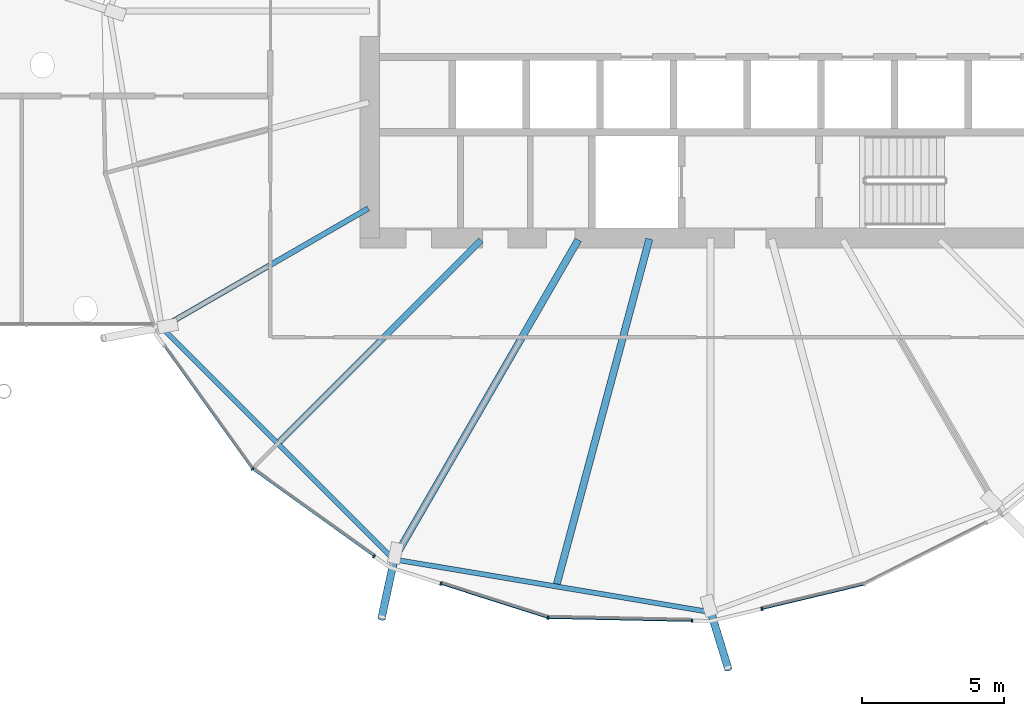
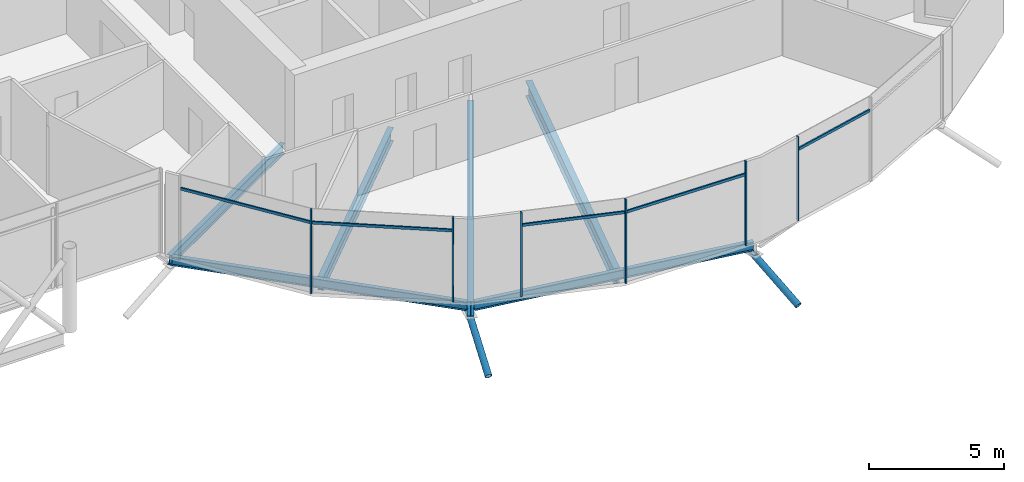
# One storey, part 13 of 40: 13 members, 6 beams, 1 element without a shape of its own.
"""IFC4 building model written with IfcOpenShell, lengths in metres."""

import ifcopenshell
import ifcopenshell.guid

model = None  # the IFC model being written
_history = None  # IfcOwnerHistory: only IFC2X3 demands one
_inside = {}  # id of a spatial element -> (the spatial element, [elements in it])
_under = {}  # id of a project, library or spatial element -> (it, [spatial elements below it])
_declared = {}  # id of a project -> (the project, [libraries it declares])
_typed = {}  # id of a type object -> (the type object, [elements of that type])
_made_of = {}  # id of a material, layer set ... -> (it, [elements and type objects made of it])


def new_model(schema):
    """Start an empty IFC model of exactly this schema.

    Asked for "IFC4X3", IfcOpenShell would pick the latest addendum, in which some entities
    have other attributes; the version numbers below select the first issue.
    IFC2X3 requires an IfcOwnerHistory on every rooted entity: one is made here for all.
    """
    global model, _history
    if schema == "IFC4X3":
        model = ifcopenshell.file(schema_version=(4, 3, 0, 0))
    else:
        model = ifcopenshell.file(schema=schema)
    _inside.clear()
    _under.clear()
    _declared.clear()
    _typed.clear()
    _made_of.clear()
    _history = None
    if model.schema == "IFC2X3":
        org = make("IfcOrganization", Name="unknown")
        user = make(
            "IfcPersonAndOrganization",
            ThePerson=make("IfcPerson", FamilyName="unknown"),
            TheOrganization=org,
        )
        app = make(
            "IfcApplication",
            ApplicationDeveloper=org,
            Version="unknown",
            ApplicationFullName="unknown",
            ApplicationIdentifier="unknown",
        )
        _history = make(
            "IfcOwnerHistory",
            OwningUser=user,
            OwningApplication=app,
            ChangeAction="ADDED",
            CreationDate=0,
        )
    return model


def make(cls, **values):
    """One entity of the class cls with the attributes given. An attribute that is None is left unset."""
    return model.create_entity(
        cls, **{name: value for name, value in values.items() if value is not None}
    )


def rooted(cls, **values):
    """An entity with a GlobalId (a new one), such as an element, a storey or a relation."""
    return make(cls, GlobalId=ifcopenshell.guid.new(), OwnerHistory=_history, **values)


def si_unit(unit_type, name, prefix=None):
    """IfcSIUnit, for example si_unit("LENGTHUNIT", "METRE", prefix="MILLI")."""
    return make("IfcSIUnit", UnitType=unit_type, Prefix=prefix, Name=name)


def assignment(units):
    """IfcUnitAssignment: the units of a project."""
    return None if units is None else make("IfcUnitAssignment", Units=units)


def point(xyz):
    """IfcCartesianPoint."""
    return None if xyz is None else make("IfcCartesianPoint", Coordinates=xyz)


def direction(xyz):
    """IfcDirection."""
    return None if xyz is None else make("IfcDirection", DirectionRatios=xyz)


def frame(location, z_axis=None, x_axis=None):
    """IfcAxis2Placement3D, a coordinate frame: its origin and axes. An axis left out is left unset."""
    return make(
        "IfcAxis2Placement3D",
        Location=point(location),
        Axis=direction(z_axis),
        RefDirection=direction(x_axis),
    )


def frame_2d(location, x_axis=None):
    """IfcAxis2Placement2D, a coordinate frame in the plane: its origin and x axis."""
    return make(
        "IfcAxis2Placement2D", Location=point(location), RefDirection=direction(x_axis)
    )


def origin():
    """The frame at (0, 0, 0) with its axes left unset."""
    return frame((0.0, 0.0, 0.0))


def origin_2d():
    """The frame at (0, 0) in the plane with its x axis left unset."""
    return frame_2d((0.0, 0.0))


def place(relative_to, where):
    """IfcLocalPlacement: puts the frame where relative to a parent placement (None: the world)."""
    return make(
        "IfcLocalPlacement", PlacementRelTo=relative_to, RelativePlacement=where
    )


def context(
    kind, dimensions, precision=None, world=None, true_north=None, identifier=None
):
    """IfcGeometricRepresentationContext, for example the 3D "Model" context."""
    return make(
        "IfcGeometricRepresentationContext",
        ContextIdentifier=identifier,
        ContextType=kind,
        CoordinateSpaceDimension=dimensions,
        Precision=precision,
        WorldCoordinateSystem=world,
        TrueNorth=true_north,
    )


def subcontext(parent, identifier, kind, view, scale=None):
    """IfcGeometricRepresentationSubContext, for example "Body" below "Model"."""
    return make(
        "IfcGeometricRepresentationSubContext",
        ContextIdentifier=identifier,
        ContextType=kind,
        ParentContext=parent,
        TargetScale=scale,
        TargetView=view,
    )


def project(units=None, contexts=None):
    """IfcProject with its units and contexts."""
    return rooted(
        "IfcProject",
        Name="project",
        RepresentationContexts=contexts,
        UnitsInContext=assignment(units),
    )


def spatial(cls, under=None, at=None, **own):
    """A site, building, storey or space (cls), placed at a placement, below another one or the project."""
    s = rooted(cls, ObjectPlacement=at, **own)
    if under is not None:
        _under.setdefault(under.id(), (under, []))[1].append(s)
    return s


def profile(cls, at=None, kind="AREA", **sizes):
    """A parametric profile (cls). Its sizes go by their IFC names, for example OverallWidth=200.0."""
    return make(cls, ProfileType=kind, Position=at, **sizes)


def rectangle(**sizes):
    """IfcRectangleProfileDef."""
    return profile("IfcRectangleProfileDef", **sizes)


def hollow_circle(**sizes):
    """IfcCircleHollowProfileDef."""
    return profile("IfcCircleHollowProfileDef", **sizes)


def i_section(**sizes):
    """IfcIShapeProfileDef."""
    return profile("IfcIShapeProfileDef", **sizes)


def extrude(swept, where, along, depth):
    """IfcExtrudedAreaSolid: the profile swept, set in the frame where, extruded along a direction by depth."""
    return make(
        "IfcExtrudedAreaSolid",
        SweptArea=swept,
        Position=where,
        ExtrudedDirection=direction(along),
        Depth=depth,
    )


def clip(a, b, op="DIFFERENCE"):
    """IfcBooleanClippingResult: the solid a cut by the half space b."""
    return make(
        "IfcBooleanClippingResult", Operator=op, FirstOperand=a, SecondOperand=b
    )


def halfspace(plane, agree):
    """IfcHalfSpaceSolid: all space on one side of the plane z = 0 of the frame plane."""
    return make(
        "IfcHalfSpaceSolid",
        BaseSurface=make("IfcPlane", Position=plane),
        AgreementFlag=agree,
    )


def shape(context_of_items, identifier, shape_type, items):
    """IfcShapeRepresentation: the items that make up one representation, for example the "Body"."""
    return make(
        "IfcShapeRepresentation",
        ContextOfItems=context_of_items,
        RepresentationIdentifier=identifier,
        RepresentationType=shape_type,
        Items=items,
    )


def material(Name=None, Category=None):
    """IfcMaterial."""
    return make("IfcMaterial", Name=Name, Category=Category)


def material_profile(
    of_material, cross_section, Name=None, Category=None, Priority=None
):
    """IfcMaterialProfile: a cross section and its material."""
    return make(
        "IfcMaterialProfile",
        Name=Name,
        Material=of_material,
        Profile=cross_section,
        Priority=Priority,
        Category=Category,
    )


def profile_set(profiles, Name=None, composite=None):
    """IfcMaterialProfileSet."""
    return make(
        "IfcMaterialProfileSet",
        Name=Name,
        MaterialProfiles=profiles,
        CompositeProfile=composite,
    )


def made_of(thing, what):
    """Note that an element or type object is made of a material, layer set ...; save() writes the relation."""
    if what is not None:
        _made_of.setdefault(what.id(), (what, []))[1].append(thing)
    return thing


def type_object(cls, material=None, **own):
    """A type object (cls), such as IfcWallType, which elements share."""
    return made_of(rooted(cls, **own), material)


def element(
    cls,
    number,
    at=None,
    inside=None,
    cuts=None,
    type_object=None,
    material=None,
    context=None,
    identifier="Body",
    shape_type=None,
    held_by="IfcProductDefinitionShape",
    body=None,
    shapes=None,
    **own,
):
    """One element of the class cls, such as IfcWall. Its Tag is "e" and its number.

    at: its placement. inside: the storey or other place that contains it. cuts: it is an
    opening in that element (IfcRelVoidsElement). A single representation is given by context,
    identifier, shape_type and body (its items); several are given by shapes. held_by: the class
    of the entity that holds the representations. save() writes the other relations.
    """
    e = rooted(cls, Tag="e%d" % number, ObjectPlacement=at, **own)
    if body is not None:
        shapes = [shape(context, identifier, shape_type, body)]
    if shapes is not None:
        e.Representation = make(held_by, Representations=shapes)
    if inside is not None:
        _inside.setdefault(inside.id(), (inside, []))[1].append(e)
    if cuts is not None:
        rooted(
            "IfcRelVoidsElement", RelatingBuildingElement=cuts, RelatedOpeningElement=e
        )
    if type_object is not None:
        _typed.setdefault(type_object.id(), (type_object, []))[1].append(e)
    return made_of(e, material)


def aggregate(whole, parts):
    """IfcRelAggregates: a whole, such as a stair, and the parts it consists of."""
    return rooted("IfcRelAggregates", RelatingObject=whole, RelatedObjects=parts)


def save(model, path):
    """Write the relations noted so far, then the file.

    IfcRelAggregates (storeys below a building ...), IfcRelContainedInSpatialStructure (elements
    in a storey), IfcRelDefinesByType, IfcRelAssociatesMaterial and IfcRelDeclares: one each for
    every whole, place, type object, material and project.
    """
    for whole, parts in _under.values():
        aggregate(whole, parts)
    for where, things in _inside.values():
        rooted(
            "IfcRelContainedInSpatialStructure",
            RelatedElements=things,
            RelatingStructure=where,
        )
    for kind, things in _typed.values():
        rooted("IfcRelDefinesByType", RelatedObjects=things, RelatingType=kind)
    for what, things in _made_of.values():
        rooted("IfcRelAssociatesMaterial", RelatedObjects=things, RelatingMaterial=what)
    for by, libraries in _declared.values():
        rooted("IfcRelDeclares", RelatingContext=by, RelatedDefinitions=libraries)
    model.write(path)


model = new_model("IFC4")

# Units and contexts
model_context = context("Model", 3, precision=1e-05, world=origin(), true_north=direction((0.0, 1.0)))
body_context = subcontext(model_context, "Body", "Model", "MODEL_VIEW")
ifc_project = project(units=[si_unit("LENGTHUNIT", "METRE"), si_unit("AREAUNIT", "SQUARE_METRE"), si_unit("VOLUMEUNIT", "CUBIC_METRE"), si_unit("PLANEANGLEUNIT", "RADIAN"), si_unit("MASSUNIT", "GRAM", prefix="KILO")], contexts=[model_context])

# Site, building, storey
site_placement = place(None, origin())
site = spatial("IfcSite", under=ifc_project, at=site_placement, CompositionType="ELEMENT")
building_placement = place(site_placement, origin())
building = spatial("IfcBuilding", under=site, at=building_placement, Name="Rimbun Link Towers", CompositionType="ELEMENT")
storey_placement = place(building_placement, frame((0.0, 0.0, 150.60009765625)))
storey = spatial("IfcBuildingStorey", under=building, at=storey_placement, Name="L36", CompositionType="ELEMENT", Elevation=150.60009765625)

# Curtain wall, members
ifc_material_1 = material(Name="Aluminium 6063-T6 and low-iron glass", Category="aluminium")
curtain_wall_type = type_object("IfcCurtainWallType", Name="CW4 link block wall", PredefinedType="NOTDEFINED", material=ifc_material_1)
curtain_wall_placement = place(storey_placement, origin())
curtain_wall = element("IfcCurtainWall", 1, at=curtain_wall_placement, inside=storey, type_object=curtain_wall_type, Name="CW4 L36 T2", PredefinedType="NOTDEFINED")
ifc_material_2 = material(Name="Aluminium 6063-T6", Category="aluminium")
ifc_material_profile_1 = material_profile(ifc_material_2, rectangle(XDim=0.1201171875, YDim=0.06005859375, at=origin_2d()), Name="MULLION 60X120")
ifc_profile_set_1 = profile_set([ifc_material_profile_1], Name="Aluminium 6063-T6")
member_type_1 = type_object("IfcMemberType", Name="CW4 mullion 60X120", PredefinedType="MULLION", material=ifc_profile_set_1)
member_1_placement = place(storey_placement, frame((15.618408203125, -16.131591796875, 0.0), z_axis=(0.0, 0.0, 1.0), x_axis=(-0.707106781187, -0.707106781187, 0.0)))
member_1 = element("IfcMember", 2, at=member_1_placement, type_object=member_type_1, Name="CW4 mullion", PredefinedType="MULLION", context=body_context, shape_type="SweptSolid", body=[
    extrude(rectangle(XDim=0.1201171875, YDim=0.06005859375, at=origin_2d()), origin(), (0.0, 0.0, 1.0), 3.7998046875),
])
member_2_placement = place(storey_placement, frame((19.906005859375, -19.208984375, 0.0), z_axis=(0.0, 0.0, 1.0), x_axis=(-0.58300948996, -0.81246534364, 0.0)))
member_2 = element("IfcMember", 3, at=member_2_placement, type_object=member_type_1, Name="CW4 mullion", PredefinedType="MULLION", context=body_context, shape_type="SweptSolid", body=[
    extrude(rectangle(XDim=0.1201171875, YDim=0.06005859375, at=origin_2d()), origin(), (0.0, 0.0, 1.0), 3.7998046875),
])
member_3_placement = place(storey_placement, frame((26.030029296875, -21.3701171875, 0.0), z_axis=(0.0, 0.0, 1.0), x_axis=(-0.163742365799, -0.986503136154, 0.0)))
member_3 = element("IfcMember", 4, at=member_3_placement, type_object=member_type_1, Name="CW4 mullion", PredefinedType="MULLION", context=body_context, shape_type="SweptSolid", body=[
    extrude(rectangle(XDim=0.1201171875, YDim=0.06005859375, at=origin_2d()), origin(), (0.0, 0.0, 1.0), 3.7998046875),
])
member_4_placement = place(storey_placement, frame((22.261474609375, -20.17236328125, 0.0), z_axis=(0.0, 0.0, 1.0), x_axis=(-0.303059612182, -0.952971600555, 0.0)))
member_4 = element("IfcMember", 5, at=member_4_placement, type_object=member_type_1, Name="CW4 mullion", PredefinedType="MULLION", context=body_context, shape_type="SweptSolid", body=[
    extrude(rectangle(XDim=0.1201171875, YDim=0.06005859375, at=origin_2d()), origin(), (0.0, 0.0, 1.0), 3.7998046875),
])
member_5_placement = place(storey_placement, frame((31.098876953125, -21.4775390625, 0.0), z_axis=(0.0, 0.0, 1.0), x_axis=(-0.021062889527, -0.999778152734, 0.0)))
member_5 = element("IfcMember", 6, at=member_5_placement, type_object=member_type_1, Name="CW4 mullion", PredefinedType="MULLION", context=body_context, shape_type="SweptSolid", body=[
    extrude(rectangle(XDim=0.1201171875, YDim=0.06005859375, at=origin_2d()), origin(), (0.0, 0.0, 1.0), 3.7998046875),
])
member_6_placement = place(storey_placement, frame((33.563232421875, -21.059326171875, 0.0), z_axis=(0.0, 0.0, 1.0), x_axis=(0.232587665973, -0.972575435448, 0.0)))
member_6 = element("IfcMember", 7, at=member_6_placement, type_object=member_type_1, Name="CW4 mullion", PredefinedType="MULLION", context=body_context, shape_type="SweptSolid", body=[
    extrude(rectangle(XDim=0.1201171875, YDim=0.06005859375, at=origin_2d()), origin(), (0.0, 0.0, 1.0), 3.7998046875),
])
ifc_material_3 = material(Name="Aluminium 6063-T6", Category="aluminium")
ifc_material_profile_2 = material_profile(ifc_material_3, rectangle(XDim=0.06005859375, YDim=0.1201171875, at=origin_2d()), Name="TRANSOM 60X120")
ifc_profile_set_2 = profile_set([ifc_material_profile_2], Name="Aluminium 6063-T6")
member_type_2 = type_object("IfcMemberType", Name="CW4 transom 60X120", PredefinedType="USERDEFINED", material=ifc_profile_set_2)
member_7_placement = place(storey_placement, frame((15.59619140625, -16.0986328125, 3.199951171875), z_axis=(-0.583002503332, 0.812470357065, 0.0), x_axis=(-0.812470357065, -0.583002503332, 0.0)))
member_7 = element("IfcMember", 8, at=member_7_placement, type_object=member_type_2, Name="CW4 transom", ObjectType="TRANSOM", PredefinedType="USERDEFINED", context=body_context, shape_type="SweptSolid", body=[
    extrude(rectangle(XDim=0.06005859375, YDim=0.1201171875, at=origin_2d()), origin(), (0.0, 0.0, 1.0), 5.258056640625),
])
member_8_placement = place(storey_placement, frame((19.8828125, -19.18994140625, 3.199951171875), z_axis=(-0.812489980296, 0.58297515549, 0.0), x_axis=(-0.58297515549, -0.812489980296, 0.0)))
member_8 = element("IfcMember", 9, at=member_8_placement, type_object=member_type_2, Name="CW4 transom", ObjectType="TRANSOM", PredefinedType="USERDEFINED", context=body_context, shape_type="SweptSolid", body=[
    extrude(rectangle(XDim=0.06005859375, YDim=0.1201171875, at=origin_2d()), origin(), (0.0, 0.0, 1.0), 5.2080078125),
])
member_9_placement = place(storey_placement, frame((25.99365234375, -21.357177734375, 3.199951171875), z_axis=(-0.952959606223, 0.303097325801, 0.0), x_axis=(-0.303097325801, -0.952959606223, 0.0)))
member_9 = element("IfcMember", 10, at=member_9_placement, type_object=member_type_2, Name="CW4 transom", ObjectType="TRANSOM", PredefinedType="USERDEFINED", context=body_context, shape_type="SweptSolid", body=[
    extrude(rectangle(XDim=0.06005859375, YDim=0.1201171875, at=origin_2d()), origin(), (0.0, 0.0, 1.0), 3.8857421875),
])
member_10_placement = place(storey_placement, frame((31.06884765625, -21.474853515625, 3.199951171875), z_axis=(-0.99977865077, 0.021039236291, 0.0), x_axis=(-0.021039236291, -0.99977865077, 0.0)))
member_10 = element("IfcMember", 11, at=member_10_placement, type_object=member_type_2, Name="CW4 transom", ObjectType="TRANSOM", PredefinedType="USERDEFINED", context=body_context, shape_type="SweptSolid", body=[
    extrude(rectangle(XDim=0.06005859375, YDim=0.1201171875, at=origin_2d()), origin(), (0.0, 0.0, 1.0), 5.00146484375),
])
member_11_placement = place(storey_placement, frame((37.131103515625, -20.2041015625, 3.199951171875), z_axis=(-0.972585489627, -0.232545619967, 0.0), x_axis=(0.232545619967, -0.972585489627, 0.0)))
member_11 = element("IfcMember", 12, at=member_11_placement, type_object=member_type_2, Name="CW4 transom", ObjectType="TRANSOM", PredefinedType="USERDEFINED", context=body_context, shape_type="SweptSolid", body=[
    extrude(rectangle(XDim=0.06005859375, YDim=0.1201171875, at=origin_2d()), origin(), (0.0, 0.0, 1.0), 3.638916015625),
])
aggregate(curtain_wall, [member_1, member_2, member_3, member_4, member_5, member_6, member_7, member_8, member_9, member_10, member_11])

# Members
ifc_material_4 = material(Name="Steel S355J2H", Category="steel")
ifc_material_profile_3 = material_profile(ifc_material_4, hollow_circle(Radius=0.136474609375, WallThickness=0.012451171875, at=origin_2d()), Name="CHS 273x12.5")
ifc_profile_set_3 = profile_set([ifc_material_profile_3], Name="Steel S355J2H")
member_type_3 = type_object("IfcMemberType", Name="Floor edge link CHS 273x12.5", PredefinedType="BRACE", material=ifc_profile_set_3)
member_12_placement = place(storey_placement, frame((20.621826171875, -19.2744140625, -0.983154296875), z_axis=(-0.185106806018, -0.859969179591, -0.475592767522), x_axis=(0.977609226112, -0.210428612646, 0.0)))
element("IfcMember", 13, at=member_12_placement, inside=storey, type_object=member_type_3, Name="Floor edge link T2 L36 13", PredefinedType="BRACE", context=body_context, shape_type="Clipping", body=[
    clip(extrude(hollow_circle(Radius=0.136474609375, WallThickness=0.012451171875, at=origin_2d()), frame((0.0, 0.0, -0.526123046875)), (0.0, 0.0, 1.0), 2.9912109375), halfspace(frame((0.0, 0.0, -0.2470703125), z_axis=(0.0, 0.879665572522, -0.475592767522)), False)),
])
member_13_placement = place(storey_placement, frame((31.75, -21.124267578125, -0.983154296875), z_axis=(0.257222753937, -0.840161297453, -0.477457274653), x_axis=(0.956190232902, 0.292746030721, 0.0)))
element("IfcMember", 14, at=member_13_placement, inside=storey, type_object=member_type_3, Name="Floor edge link T2 L36 15", PredefinedType="BRACE", context=body_context, shape_type="Clipping", body=[
    clip(extrude(hollow_circle(Radius=0.136474609375, WallThickness=0.012451171875, at=origin_2d()), frame((0.0, 0.0, -0.523193359375)), (0.0, 0.0, 1.0), 2.97216796875), halfspace(frame((0.0, 0.0, -0.24609375), z_axis=(0.0, 0.878654966913, -0.477457274653)), False)),
])

# Beams
ifc_material_5 = material(Name="Steel S355J2", Category="steel")
ifc_material_profile_4 = material_profile(ifc_material_5, i_section(OverallWidth=0.177978515625, OverallDepth=0.406494140625, WebThickness=0.0078125, FlangeThickness=0.0126953125, at=origin_2d()), Name="UB 406x178x60")
ifc_profile_set_4 = profile_set([ifc_material_profile_4], Name="Steel S355J2")
beam_type_1 = type_object("IfcBeamType", Name="UB 406x178x60", PredefinedType="BEAM", material=ifc_profile_set_4)
beam_1_placement = place(storey_placement, frame((12.502685546875, -11.223388671875, -0.38330078125), z_axis=(0.707106781187, -0.707106781187, 0.0), x_axis=(0.707106781187, 0.707106781187, 0.0)))
element("IfcBeam", 15, at=beam_1_placement, inside=storey, type_object=beam_type_1, Name="Edge beam T2 L36 11-13", PredefinedType="BEAM", context=body_context, shape_type="SweptSolid", body=[
    extrude(i_section(OverallWidth=0.177978515625, OverallDepth=0.406494140625, WebThickness=0.0078125, FlangeThickness=0.0126953125, at=origin_2d()), origin(), (0.0, 0.0, 1.0), 11.314697265625),
])
beam_2_placement = place(storey_placement, frame((20.731689453125, -19.340087890625, -0.38330078125), z_axis=(0.986428565944, -0.16419099942, 0.0), x_axis=(0.16419099942, 0.986428565944, 0.0)))
element("IfcBeam", 16, at=beam_2_placement, inside=storey, type_object=beam_type_1, Name="Edge beam T2 L36 13-15", PredefinedType="BEAM", context=body_context, shape_type="SweptSolid", body=[
    extrude(i_section(OverallWidth=0.177978515625, OverallDepth=0.406494140625, WebThickness=0.0078125, FlangeThickness=0.0126953125, at=origin_2d()), origin(), (0.0, 0.0, 1.0), 11.04052734375),
])
ifc_material_6 = material(Name="Steel S355J2", Category="steel")
ifc_material_profile_5 = material_profile(ifc_material_6, i_section(OverallWidth=0.18994140625, OverallDepth=0.453369140625, WebThickness=0.008544921875, FlangeThickness=0.0126953125, at=origin_2d()), Name="UB 457x191x67")
ifc_profile_set_5 = profile_set([ifc_material_profile_5], Name="Steel S355J2")
beam_type_2 = type_object("IfcBeamType", Name="UB 457x191x67", PredefinedType="BEAM", material=ifc_profile_set_5)
beam_3_placement = place(storey_placement, frame((19.70166015625, -6.9560546875, -0.40673828125), z_axis=(-0.866020419704, -0.500008632582, 0.0), x_axis=(0.500008632582, -0.866020419704, 0.0)))
element("IfcBeam", 17, at=beam_3_placement, inside=storey, type_object=beam_type_2, Name="Radial beam T2 L36 11", PredefinedType="BEAM", context=body_context, shape_type="SweptSolid", body=[
    extrude(i_section(OverallWidth=0.18994140625, OverallDepth=0.453369140625, WebThickness=0.008544921875, FlangeThickness=0.0126953125, at=origin_2d()), origin(), (0.0, 0.0, 1.0), 8.393798828125),
])
ifc_material_7 = material(Name="Steel S355J2", Category="steel")
ifc_material_profile_6 = material_profile(ifc_material_7, i_section(OverallWidth=0.2275390625, OverallDepth=0.6025390625, WebThickness=0.010498046875, FlangeThickness=0.014892578125, at=origin_2d()), Name="UB 610x229x101")
ifc_profile_set_6 = profile_set([ifc_material_profile_6], Name="Steel S355J2")
beam_type_3 = type_object("IfcBeamType", Name="UB 610x229x101", PredefinedType="BEAM", material=ifc_profile_set_6)
beam_4_placement = place(storey_placement, frame((23.668701171875, -8.081298828125, -0.4814453125), z_axis=(-0.707106781187, -0.707106781187, 0.0), x_axis=(0.707106781187, -0.707106781187, 0.0)))
element("IfcBeam", 18, at=beam_4_placement, inside=storey, type_object=beam_type_3, Name="Radial beam T2 L36 12", PredefinedType="BEAM", context=body_context, shape_type="SweptSolid", body=[
    extrude(i_section(OverallWidth=0.2275390625, OverallDepth=0.6025390625, WebThickness=0.010498046875, FlangeThickness=0.014892578125, at=origin_2d()), origin(), (0.0, 0.0, 1.0), 10.02734375),
])
ifc_material_8 = material(Name="Steel S355J2", Category="steel")
ifc_material_profile_7 = material_profile(ifc_material_8, i_section(OverallWidth=0.253662109375, OverallDepth=0.68359375, WebThickness=0.012451171875, FlangeThickness=0.01904296875, at=origin_2d()), Name="UB 686x254x140")
ifc_profile_set_7 = profile_set([ifc_material_profile_7], Name="Steel S355J2")
beam_type_4 = type_object("IfcBeamType", Name="UB 686x254x140", PredefinedType="BEAM", material=ifc_profile_set_7)
beam_5_placement = place(storey_placement, frame((27.093994140625, -8.064208984375, -0.52197265625), z_axis=(-0.499994598707, -0.8660285222, 0.0), x_axis=(0.8660285222, -0.499994598707, 0.0)))
element("IfcBeam", 19, at=beam_5_placement, inside=storey, type_object=beam_type_4, Name="Radial beam T2 L36 13", PredefinedType="BEAM", context=body_context, shape_type="SweptSolid", body=[
    extrude(i_section(OverallWidth=0.253662109375, OverallDepth=0.68359375, WebThickness=0.012451171875, FlangeThickness=0.01904296875, at=origin_2d()), origin(), (0.0, 0.0, 1.0), 12.994384765625),
])
beam_6_placement = place(storey_placement, frame((29.597412109375, -8.03369140625, -0.52197265625), z_axis=(-0.258819848058, -0.965925611137, 0.0), x_axis=(0.965925611137, -0.258819848058, 0.0)))
element("IfcBeam", 20, at=beam_6_placement, inside=storey, type_object=beam_type_4, Name="Radial beam T2 L36 14", PredefinedType="BEAM", context=body_context, shape_type="SweptSolid", body=[
    extrude(i_section(OverallWidth=0.253662109375, OverallDepth=0.68359375, WebThickness=0.012451171875, FlangeThickness=0.01904296875, at=origin_2d()), origin(), (0.0, 0.0, 1.0), 12.57763671875),
])

save(model, "model.ifc")
